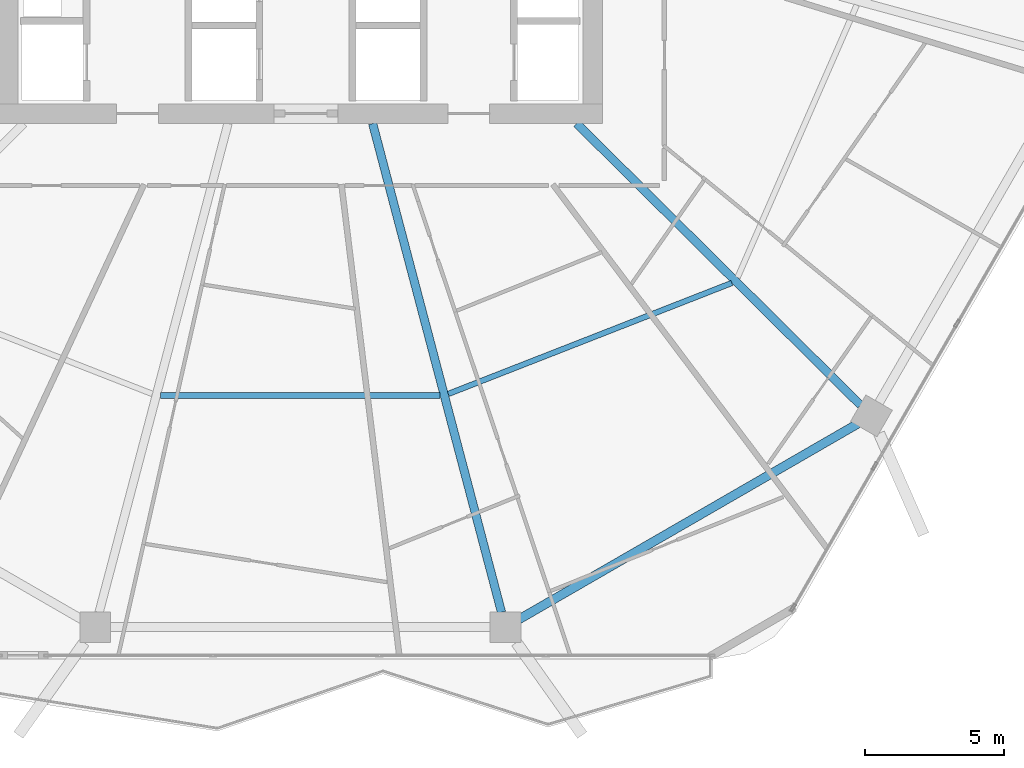
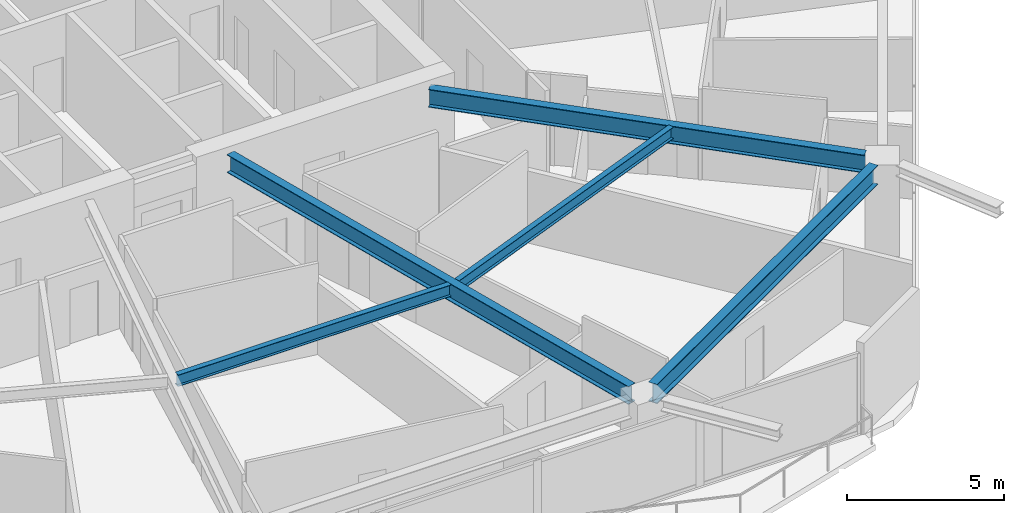
# One storey, part 8 of 33: 5 beams.
"""IFC4 building model written with IfcOpenShell, lengths in metres."""

from ifc_helpers import new_model, si_unit, direction, frame, origin, origin_2d, place, context, subcontext, project, spatial, i_section, extrude, material, material_profile, profile_set, type_object, element, save


model = new_model("IFC4")

# Units and contexts
model_context = context("Model", 3, precision=1e-05, world=origin(), true_north=direction((0.0, 1.0)))
body_context = subcontext(model_context, "Body", "Model", "MODEL_VIEW")
ifc_project = project(units=[si_unit("LENGTHUNIT", "METRE"), si_unit("AREAUNIT", "SQUARE_METRE"), si_unit("VOLUMEUNIT", "CUBIC_METRE"), si_unit("PLANEANGLEUNIT", "RADIAN"), si_unit("MASSUNIT", "GRAM", prefix="KILO")], contexts=[model_context])

# Site, building, storey
site_placement = place(None, origin())
site = spatial("IfcSite", under=ifc_project, at=site_placement, CompositionType="ELEMENT")
building_placement = place(site_placement, origin())
building = spatial("IfcBuilding", under=site, at=building_placement, Name="Zuhravey Tower", CompositionType="ELEMENT")
storey_placement = place(building_placement, frame((0.0, 0.0, 103.800048828125)))
storey = spatial("IfcBuildingStorey", under=building, at=storey_placement, Name="L25", CompositionType="ELEMENT", Elevation=103.800048828125)

# Beams
ifc_material = material(Name="Steel SM355", Category="steel")
ifc_material_profile_1 = material_profile(ifc_material, i_section(OverallWidth=0.320068359375, OverallDepth=0.75, WebThickness=0.013916015625, FlangeThickness=0.02490234375, at=origin_2d()), Name="H-750x320x14x25")
ifc_profile_set_1 = profile_set([ifc_material_profile_1], Name="Steel SM355")
beam_type_1 = type_object("IfcBeamType", Name="Perimeter Ring Beam H750x320", PredefinedType="BEAM", material=ifc_profile_set_1)
beam_1_placement = place(storey_placement, frame((43.848876953125, 4.327880859375, 3.175048828125), z_axis=(0.866017786538, 0.500013193225, 0.0), x_axis=(-0.500013193225, 0.866017786538, 0.0)))
element("IfcBeam", 1, at=beam_1_placement, inside=storey, type_object=beam_type_1, Name="L25 PB1 BM-L25-PB-10", PredefinedType="BEAM", context=body_context, shape_type="SweptSolid", body=[
    extrude(i_section(OverallWidth=0.320068359375, OverallDepth=0.75, WebThickness=0.013916015625, FlangeThickness=0.02490234375, at=origin_2d()), origin(), (0.0, 0.0, 1.0), 14.0771484375),
])
ifc_material_profile_2 = material_profile(ifc_material, i_section(OverallWidth=0.300048828125, OverallDepth=0.699951171875, WebThickness=0.012939453125, FlangeThickness=0.02392578125, at=origin_2d()), Name="H-700x300x13x24")
ifc_profile_set_2 = profile_set([ifc_material_profile_2], Name="Steel SM355")
beam_type_2 = type_object("IfcBeamType", Name="Radial Primary Girder H700x300", PredefinedType="BEAM", material=ifc_profile_set_2)
beam_2_placement = place(storey_placement, frame((38.59814453125, 22.14697265625, 3.199951171875), z_axis=(0.25498755891, -0.966944333869, 0.0), x_axis=(0.966944333869, 0.25498755891, 0.0)))
element("IfcBeam", 2, at=beam_2_placement, inside=storey, type_object=beam_type_2, Name="L25 RG1 BM-L25-RAD-10", PredefinedType="BEAM", context=body_context, shape_type="SweptSolid", body=[
    extrude(i_section(OverallWidth=0.300048828125, OverallDepth=0.699951171875, WebThickness=0.012939453125, FlangeThickness=0.02392578125, at=origin_2d()), origin(), (0.0, 0.0, 1.0), 18.1611328125),
])
beam_3_placement = place(storey_placement, frame((45.931396484375, 22.14697265625, 3.199951171875), z_axis=(0.709906230344, -0.704296204816, 0.0), x_axis=(0.704296204816, 0.709906230344, 0.0)))
element("IfcBeam", 3, at=beam_3_placement, inside=storey, type_object=beam_type_2, Name="L25 RG1 BM-L25-RAD-11", PredefinedType="BEAM", context=body_context, shape_type="SweptSolid", body=[
    extrude(i_section(OverallWidth=0.300048828125, OverallDepth=0.699951171875, WebThickness=0.012939453125, FlangeThickness=0.02392578125, at=origin_2d()), origin(), (0.0, 0.0, 1.0), 14.361083984375),
])
ifc_material_profile_3 = material_profile(ifc_material, i_section(OverallWidth=0.199951171875, OverallDepth=0.449951171875, WebThickness=0.009033203125, FlangeThickness=0.013916015625, at=origin_2d()), Name="H-450x200x9x14")
ifc_profile_set_3 = profile_set([ifc_material_profile_3], Name="Steel SM355")
beam_type_3 = type_object("IfcBeamType", Name="Secondary Floor Joist H450x200", PredefinedType="JOIST", material=ifc_profile_set_3)
beam_4_placement = place(storey_placement, frame((30.97900390625, 12.37548828125, 3.324951171875), z_axis=(1.0, 0.0, 0.0), x_axis=(0.0, 1.0, 0.0)))
element("IfcBeam", 4, at=beam_4_placement, inside=storey, type_object=beam_type_3, Name="L25 SJ1 BM-L25-SJ-09-1", PredefinedType="JOIST", context=body_context, shape_type="SweptSolid", body=[
    extrude(i_section(OverallWidth=0.199951171875, OverallDepth=0.449951171875, WebThickness=0.009033203125, FlangeThickness=0.013916015625, at=origin_2d()), origin(), (0.0, 0.0, 1.0), 10.0419921875),
])
beam_5_placement = place(storey_placement, frame((41.318359375, 12.431640625, 3.324951171875), z_axis=(0.931216764731, 0.364465824302, 0.0), x_axis=(-0.364465824302, 0.931216764731, 0.0)))
element("IfcBeam", 5, at=beam_5_placement, inside=storey, type_object=beam_type_3, Name="L25 SJ1 BM-L25-SJ-10-1", PredefinedType="JOIST", context=body_context, shape_type="SweptSolid", body=[
    extrude(i_section(OverallWidth=0.199951171875, OverallDepth=0.449951171875, WebThickness=0.009033203125, FlangeThickness=0.013916015625, at=origin_2d()), origin(), (0.0, 0.0, 1.0), 10.939453125),
])

save(model, "model.ifc")
